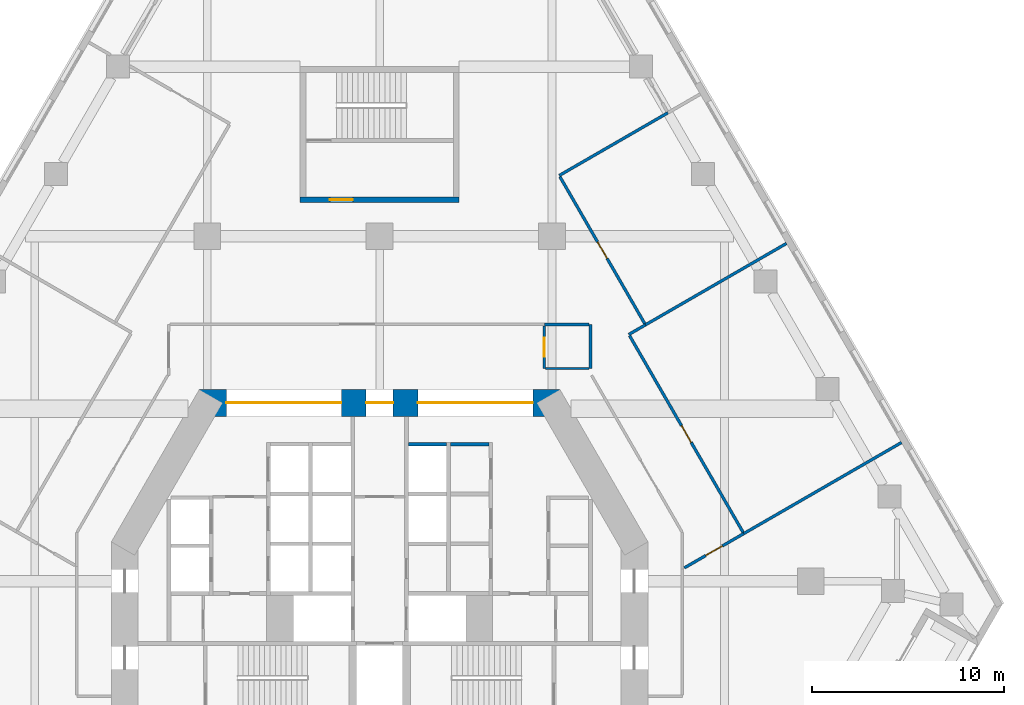
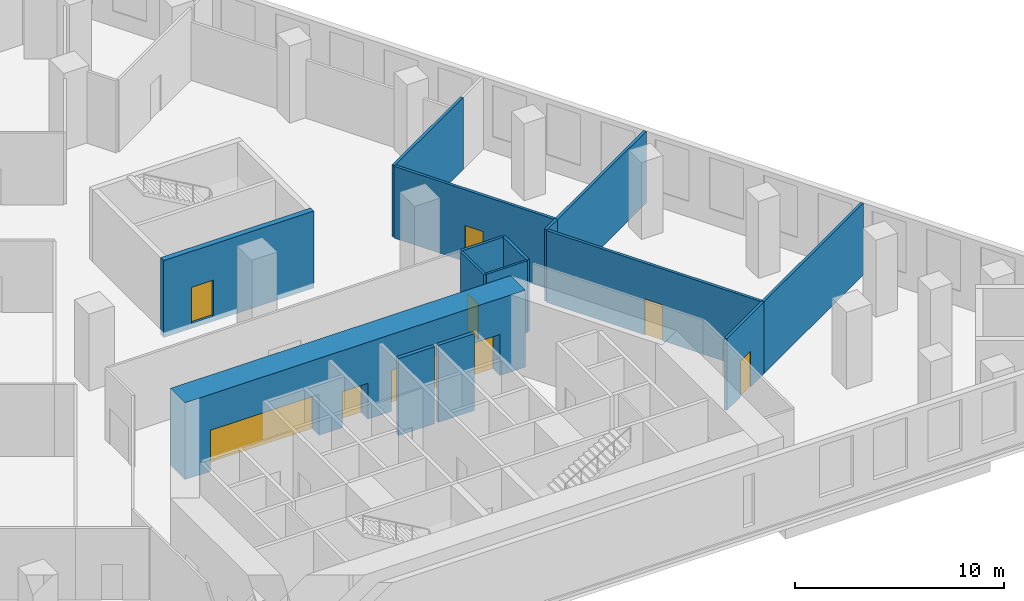
# One storey, part 8 of 14: 15 walls, 8 doors, 8 openings.
"""IFC4 building model written with IfcOpenShell, lengths in metres."""

from ifc_helpers import new_model, si_unit, direction, frame, frame_2d, origin, place, context, subcontext, project, spatial, rectangle, extrude, material, layer, layer_set, type_object, element, fill, save


model = new_model("IFC4")

# Units and contexts
model_context = context("Model", 3, precision=1e-05, world=origin(), true_north=direction((0.0, 1.0)))
body_context = subcontext(model_context, "Body", "Model", "MODEL_VIEW")
ifc_project = project(units=[si_unit("LENGTHUNIT", "METRE"), si_unit("AREAUNIT", "SQUARE_METRE"), si_unit("VOLUMEUNIT", "CUBIC_METRE"), si_unit("PLANEANGLEUNIT", "RADIAN"), si_unit("MASSUNIT", "GRAM", prefix="KILO")], contexts=[model_context])

# Site, building, storey
site_placement = place(None, origin())
site = spatial("IfcSite", under=ifc_project, at=site_placement, CompositionType="ELEMENT")
building_placement = place(site_placement, origin())
building = spatial("IfcBuilding", under=site, at=building_placement, Name="Fogline Exchange Tower", CompositionType="ELEMENT")
storey_placement = place(building_placement, frame((0.0, 0.0, 29.5)))
storey = spatial("IfcBuildingStorey", under=building, at=storey_placement, Name="L05", CompositionType="ELEMENT", Elevation=29.5)

# Walls
ifc_material_1 = material(Name="Concrete C40", Category="concrete")
ifc_layer_1 = layer(ifc_material_1, 0.199951171875)
ifc_layer_set_1 = layer_set([ifc_layer_1], Name="CW20S")
wall_type_1 = type_object("IfcWallType", Name="CW20S", PredefinedType="SOLIDWALL", material=ifc_layer_set_1)
for number, where, z_axis, x_axis, name in (
    (1, (3.699951171875, 16.14990234375, -0.300048828125), (0.0, 0.0, 1.0), (1.0, 0.0, 0.0), "Lift shaft wall"),
    (2, (1.5, 16.14990234375, -0.300048828125), (0.0, 0.0, 1.0), (1.0, 0.0, 0.0), "Lift shaft wall"),
):
    element("IfcWall", number, at=place(storey_placement, frame(where, z_axis=z_axis, x_axis=x_axis)), inside=storey, type_object=wall_type_1, Name=name, PredefinedType="SOLIDWALL", context=body_context, shape_type="SweptSolid", body=[
        extrude(rectangle(XDim=2.0, YDim=0.199951171875, at=frame_2d((1.0, 0.0))), origin(), (0.0, 0.0, 1.0), 4.5),
    ])

# Wall, opening, door
ifc_layer_2 = layer(ifc_material_1, 0.300048828125)
ifc_layer_set_2 = layer_set([ifc_layer_2], Name="CW30")
wall_type_2 = type_object("IfcWallType", Name="CW30", PredefinedType="SOLIDWALL", material=ifc_layer_set_2)
wall_1_placement = place(storey_placement, frame((-4.14990234375, 28.906982421875, -0.300048828125), z_axis=(0.0, 0.0, 1.0), x_axis=(1.0, 0.0, 0.0)))
wall_1 = element("IfcWall", 3, at=wall_1_placement, inside=storey, type_object=wall_type_2, Name="Stair enclosure wall ST3", PredefinedType="SOLIDWALL", context=body_context, shape_type="SweptSolid", body=[
    extrude(rectangle(XDim=8.2998046875, YDim=0.300048828125, at=frame_2d((4.14990234375, 0.0))), origin(), (0.0, 0.0, 1.0), 4.5),
])
opening_1_placement = place(wall_1_placement, frame((1.550048828125, 0.0, 0.300048828125)))
opening_1 = element("IfcOpeningElement", 4, at=opening_1_placement, cuts=wall_1, Name="Opening T01-C022", PredefinedType="OPENING", context=body_context, shape_type="SweptSolid", body=[
    extrude(rectangle(XDim=1.199951171875, YDim=2.10009765625, at=frame_2d((0.60009765625, 1.050048828125))), frame((0.0, 0.16015625, 0.0), z_axis=(0.0, -1.0, 0.0), x_axis=(1.0, 0.0, 0.0)), (0.0, 0.0, 1.0), 0.320068359375),
])
ifc_material_2 = material(Name="Steel and timber fire door", Category="steel")
door_type_1 = type_object("IfcDoorType", Name="D-FR1", OperationType="SINGLE_SWING_RIGHT", PredefinedType="DOOR", material=ifc_material_2)
door_1_placement = place(opening_1_placement, origin())
door_1 = element("IfcDoor", 5, at=door_1_placement, inside=storey, type_object=door_type_1, Name="Front room door ST3", OperationType="SINGLE_SWING_LEFT", OverallHeight=2.10009765625, OverallWidth=1.199951171875, PredefinedType="DOOR", context=body_context, shape_type="SweptSolid", body=[
    extrude(rectangle(XDim=1.199951171875, YDim=2.10009765625, at=frame_2d((0.60009765625, 1.050048828125))), frame((0.0, 0.02490234375, 0.0), z_axis=(0.0, -1.0, 0.0), x_axis=(1.0, 0.0, 0.0)), (0.0, 0.0, 1.0), 0.050048828125),
])
fill(opening_1, door_1)

ifc_material_3 = material(Name="Plasterboard corridor partition with mineral wool, 2 layers each side")
ifc_layer_3 = layer(ifc_material_3, 0.125)
ifc_layer_set_3 = layer_set([ifc_layer_3], Name="PW2")
wall_type_3 = type_object("IfcWallType", Name="PW2", PredefinedType="PARTITIONING", material=ifc_layer_set_3)
wall_2_placement = place(storey_placement, frame((8.60009765625, 22.324462890625, 0.0), z_axis=(0.0, 0.0, 1.0), x_axis=(0.0, -1.0, 0.0)))
wall_2 = element("IfcWall", 6, at=wall_2_placement, inside=storey, type_object=wall_type_3, Name="wall-L05-W007", PredefinedType="PARTITIONING", context=body_context, shape_type="SweptSolid", body=[
    extrude(rectangle(XDim=2.224365234375, YDim=0.125, at=frame_2d((1.1123046875, 0.0))), origin(), (0.0, 0.0, 1.0), 4.199951171875),
])
opening_2_placement = place(wall_2_placement, frame((0.6123046875, 0.0, 0.0)))
opening_2 = element("IfcOpeningElement", 7, at=opening_2_placement, cuts=wall_2, Name="Opening T01-D004", PredefinedType="OPENING", context=body_context, shape_type="SweptSolid", body=[
    extrude(rectangle(XDim=1.0, YDim=2.10009765625, at=frame_2d((0.5, 1.050048828125))), frame((0.0, 0.072509765625, 0.0), z_axis=(0.0, -1.0, 0.0), x_axis=(1.0, 0.0, 0.0)), (0.0, 0.0, 1.0), 0.14501953125),
])
ifc_material_4 = material(Name="Fire-rated timber door leaf with steel frame", Category="steel")
door_type_2 = type_object("IfcDoorType", Name="D3", OperationType="SINGLE_SWING_LEFT", PredefinedType="DOOR", material=ifc_material_4)
door_2_placement = place(opening_2_placement, origin())
door_2 = element("IfcDoor", 8, at=door_2_placement, inside=storey, type_object=door_type_2, Name="door-L05-D004", OperationType="SINGLE_SWING_RIGHT", OverallHeight=2.10009765625, OverallWidth=1.0, PredefinedType="DOOR", context=body_context, shape_type="SweptSolid", body=[
    extrude(rectangle(XDim=1.0, YDim=2.10009765625, at=frame_2d((0.5, 1.050048828125))), frame((0.0, 0.02490234375, 0.0), z_axis=(0.0, -1.0, 0.0), x_axis=(1.0, 0.0, 0.0)), (0.0, 0.0, 1.0), 0.050048828125),
])
fill(opening_2, door_2)

# Walls
wall_3_placement = place(storey_placement, frame((8.66259765625, 20.10009765625, 0.0), z_axis=(0.0, 0.0, 1.0), x_axis=(1.0, 0.0, 0.0)))
element("IfcWall", 9, at=wall_3_placement, inside=storey, type_object=wall_type_3, Name="wall-L05-W008", PredefinedType="PARTITIONING", context=body_context, shape_type="SweptSolid", body=[
    extrude(rectangle(XDim=2.262451171875, YDim=0.125, at=frame_2d((1.13134765625, 0.0))), origin(), (0.0, 0.0, 1.0), 4.199951171875),
])
ifc_material_5 = material(Name="Plasterboard demising partition with mineral wool and acoustic board")
ifc_layer_4 = layer(ifc_material_5, 0.14990234375)
ifc_layer_set_4 = layer_set([ifc_layer_4], Name="PW3")
wall_type_4 = type_object("IfcWallType", Name="PW3", PredefinedType="PARTITIONING", material=ifc_layer_set_4)
wall_4_placement = place(storey_placement, frame((9.373046875, 30.171142578125, 0.0), z_axis=(0.0, 0.0, 1.0), x_axis=(0.866021102686, 0.500007449647, 0.0)))
element("IfcWall", 10, at=wall_4_placement, inside=storey, type_object=wall_type_4, Name="wall-L05-W014", PredefinedType="PARTITIONING", context=body_context, shape_type="SweptSolid", body=[
    extrude(rectangle(XDim=6.55029296875, YDim=0.14990234375, at=frame_2d((3.275146484375, 0.0))), origin(), (0.0, 0.0, 1.0), 4.199951171875),
])

# Wall, opening, door
wall_5_placement = place(storey_placement, frame((13.835693359375, 22.44189453125, 0.0), z_axis=(0.0, 0.0, 1.0), x_axis=(-0.500005027614, 0.86602250107, 0.0)))
wall_5 = element("IfcWall", 11, at=wall_5_placement, inside=storey, type_object=wall_type_4, Name="wall-L05-W015", PredefinedType="PARTITIONING", context=body_context, shape_type="SweptSolid", body=[
    extrude(rectangle(XDim=8.85009765625, YDim=0.14990234375, at=frame_2d((4.425048828125, 0.0))), origin(), (0.0, 0.0, 1.0), 4.199951171875),
])
opening_3_placement = place(wall_5_placement, frame((3.925048828125, 0.0, 0.0)))
opening_3 = element("IfcOpeningElement", 12, at=opening_3_placement, cuts=wall_5, Name="Opening T01-D006", PredefinedType="OPENING", context=body_context, shape_type="SweptSolid", body=[
    extrude(rectangle(XDim=1.0, YDim=2.10009765625, at=frame_2d((0.5, 1.050048828125))), frame((0.0, 0.0849609375, 0.0), z_axis=(0.0, -1.0, 0.0), x_axis=(1.0, 0.0, 0.0)), (0.0, 0.0, 1.0), 0.169921875),
])
door_3_placement = place(opening_3_placement, frame((1.0, 0.0, 0.0), z_axis=(0.0, 0.0, 1.0), x_axis=(-1.0, 0.0, 0.0)))
door_3 = element("IfcDoor", 13, at=door_3_placement, inside=storey, type_object=door_type_2, Name="door-L05-D006", OperationType="SINGLE_SWING_RIGHT", OverallHeight=2.10009765625, OverallWidth=1.0, PredefinedType="DOOR", context=body_context, shape_type="SweptSolid", body=[
    extrude(rectangle(XDim=1.0, YDim=2.10009765625, at=frame_2d((0.5, 1.050048828125))), frame((0.0, 0.02490234375, 0.0), z_axis=(0.0, -1.0, 0.0), x_axis=(1.0, 0.0, 0.0)), (0.0, 0.0, 1.0), 0.050048828125),
])
fill(opening_3, door_3)

# Wall
wall_6_placement = place(storey_placement, frame((21.234375, 26.626953125, 0.0), z_axis=(0.0, 0.0, 1.0), x_axis=(-0.866028703517, -0.499994284652, 0.0)))
element("IfcWall", 14, at=wall_6_placement, inside=storey, type_object=wall_type_4, Name="wall-L05-W016", PredefinedType="PARTITIONING", context=body_context, shape_type="SweptSolid", body=[
    extrude(rectangle(XDim=8.5, YDim=0.14990234375, at=frame_2d((4.25, 0.0))), origin(), (0.0, 0.0, 1.0), 4.199951171875),
])

# Wall, opening, door
wall_7_placement = place(storey_placement, frame((19.007080078125, 11.484619140625, 0.0), z_axis=(0.0, 0.0, 1.0), x_axis=(-0.866048453834, -0.499960074017, 0.0)))
wall_7 = element("IfcWall", 15, at=wall_7_placement, inside=storey, type_object=wall_type_4, Name="wall-L05-W036", PredefinedType="PARTITIONING", context=body_context, shape_type="SweptSolid", body=[
    extrude(rectangle(XDim=3.587158203125, YDim=0.14990234375, at=frame_2d((1.79345703125, 0.0))), origin(), (0.0, 0.0, 1.0), 4.199951171875),
])
opening_4_placement = place(wall_7_placement, frame((1.293701171875, 0.0, 0.0)))
opening_4 = element("IfcOpeningElement", 16, at=opening_4_placement, cuts=wall_7, Name="Opening T01-D014", PredefinedType="OPENING", context=body_context, shape_type="SweptSolid", body=[
    extrude(rectangle(XDim=1.0, YDim=2.10009765625, at=frame_2d((0.5, 1.050048828125))), frame((0.0, 0.0849609375, 0.0), z_axis=(0.0, -1.0, 0.0), x_axis=(1.0, 0.0, 0.0)), (0.0, 0.0, 1.0), 0.169921875),
])
door_4_placement = place(opening_4_placement, origin())
door_4 = element("IfcDoor", 17, at=door_4_placement, inside=storey, type_object=door_type_2, Name="door-L05-D014", OperationType="SINGLE_SWING_RIGHT", OverallHeight=2.10009765625, OverallWidth=1.0, PredefinedType="DOOR", context=body_context, shape_type="SweptSolid", body=[
    extrude(rectangle(XDim=1.0, YDim=2.10009765625, at=frame_2d((0.5, 1.050048828125))), frame((0.0, 0.02490234375, 0.0), z_axis=(0.0, -1.0, 0.0), x_axis=(1.0, 0.0, 0.0)), (0.0, 0.0, 1.0), 0.050048828125),
])
fill(opening_4, door_4)

# Wall
wall_8_placement = place(storey_placement, frame((13.873046875, 22.376953125, 0.0), z_axis=(0.0, 0.0, 1.0), x_axis=(-0.866010750942, -0.50002537861, 0.0)))
element("IfcWall", 18, at=wall_8_placement, inside=storey, type_object=wall_type_4, Name="wall-L05-W037", PredefinedType="PARTITIONING", context=body_context, shape_type="SweptSolid", body=[
    extrude(rectangle(XDim=1.0, YDim=0.14990234375, at=frame_2d((0.5, 0.0))), origin(), (0.0, 0.0, 1.0), 4.199951171875),
])

# Wall, opening, door
wall_9_placement = place(storey_placement, frame((13.044677734375, 21.81201171875, 0.0), z_axis=(0.0, 0.0, 1.0), x_axis=(0.499994727438, -0.866028447878, 0.0)))
wall_9 = element("IfcWall", 19, at=wall_9_placement, inside=storey, type_object=wall_type_4, Name="wall-L05-W038", PredefinedType="PARTITIONING", context=body_context, shape_type="SweptSolid", body=[
    extrude(rectangle(XDim=11.849853515625, YDim=0.14990234375, at=frame_2d((5.9248046875, 0.0))), origin(), (0.0, 0.0, 1.0), 4.199951171875),
])
opening_5_placement = place(wall_9_placement, frame((5.425048828125, 0.0, 0.0)))
opening_5 = element("IfcOpeningElement", 20, at=opening_5_placement, cuts=wall_9, Name="Opening T01-D015", PredefinedType="OPENING", context=body_context, shape_type="SweptSolid", body=[
    extrude(rectangle(XDim=1.0, YDim=2.10009765625, at=frame_2d((0.5, 1.050048828125))), frame((0.0, 0.0849609375, 0.0), z_axis=(0.0, -1.0, 0.0), x_axis=(1.0, 0.0, 0.0)), (0.0, 0.0, 1.0), 0.169921875),
])
door_5_placement = place(opening_5_placement, origin())
door_5 = element("IfcDoor", 21, at=door_5_placement, inside=storey, type_object=door_type_2, Name="door-L05-D015", OperationType="SINGLE_SWING_RIGHT", OverallHeight=2.10009765625, OverallWidth=1.0, PredefinedType="DOOR", context=body_context, shape_type="SweptSolid", body=[
    extrude(rectangle(XDim=1.0, YDim=2.10009765625, at=frame_2d((0.5, 1.050048828125))), frame((0.0, 0.02490234375, 0.0), z_axis=(0.0, -1.0, 0.0), x_axis=(1.0, 0.0, 0.0)), (0.0, 0.0, 1.0), 0.050048828125),
])
fill(opening_5, door_5)

# Walls
wall_10_placement = place(storey_placement, frame((11.0, 20.10009765625, 0.0), z_axis=(0.0, 0.0, 1.0), x_axis=(0.0, 1.0, 0.0)))
element("IfcWall", 22, at=wall_10_placement, inside=storey, type_object=wall_type_4, Name="wall-L05-W039", PredefinedType="PARTITIONING", context=body_context, shape_type="SweptSolid", body=[
    extrude(rectangle(XDim=2.2998046875, YDim=0.14990234375, at=frame_2d((1.14990234375, 0.0))), origin(), (0.0, 0.0, 1.0), 4.199951171875),
])
wall_11_placement = place(storey_placement, frame((10.925048828125, 22.39990234375, 0.0), z_axis=(0.0, 0.0, 1.0), x_axis=(-1.0, 0.0, 0.0)))
element("IfcWall", 23, at=wall_11_placement, inside=storey, type_object=wall_type_4, Name="wall-L05-W040", PredefinedType="PARTITIONING", context=body_context, shape_type="SweptSolid", body=[
    extrude(rectangle(XDim=2.324951171875, YDim=0.14990234375, at=frame_2d((1.16259765625, 0.0))), origin(), (0.0, 0.0, 1.0), 4.199951171875),
])
wall_12_placement = place(storey_placement, frame((19.007080078125, 11.484619140625, 0.0), z_axis=(0.0, 0.0, 1.0), x_axis=(0.86602681393, 0.499997557548, 0.0)))
element("IfcWall", 24, at=wall_12_placement, inside=storey, type_object=wall_type_4, Name="wall-L05-W045", PredefinedType="PARTITIONING", context=body_context, shape_type="SweptSolid", body=[
    extrude(rectangle(XDim=9.5, YDim=0.14990234375, at=frame_2d((4.75, 0.0))), origin(), (0.0, 0.0, 1.0), 4.199951171875),
])

# Wall, openings, doors
ifc_material_6 = material(Name="Concrete C60", Category="concrete")
ifc_layer_5 = layer(ifc_material_6, 1.39990234375)
ifc_layer_set_5 = layer_set([ifc_layer_5], Name="SW01")
wall_type_5 = type_object("IfcWallType", Name="SW01", PredefinedType="SHEAR", material=ifc_layer_set_5)
wall_13_placement = place(storey_placement, frame((9.41162109375, 18.300048828125, 0.0), z_axis=(0.0, 0.0, 1.0), x_axis=(-1.0, 0.0, 0.0)))
wall_13 = element("IfcWall", 25, at=wall_13_placement, inside=storey, type_object=wall_type_5, Name="L05-W904", PredefinedType="SHEAR", context=body_context, shape_type="SweptSolid", body=[
    extrude(rectangle(XDim=18.8232421875, YDim=1.39990234375, at=frame_2d((9.41162109375, 0.0))), origin(), (0.0, 0.0, 1.0), 4.5),
])
opening_6_placement = place(wall_13_placement, frame((8.71142578125, 0.0, 0.0)))
opening_6 = element("IfcOpeningElement", 26, at=opening_6_placement, cuts=wall_13, Name="Opening T01-C019", PredefinedType="OPENING", context=body_context, shape_type="SweptSolid", body=[
    extrude(rectangle(XDim=1.39990234375, YDim=2.10009765625, at=frame_2d((0.699951171875, 1.050048828125))), frame((0.0, 0.7099609375, 0.0), z_axis=(0.0, -1.0, 0.0), x_axis=(1.0, 0.0, 0.0)), (0.0, 0.0, 1.0), 1.419921875),
])
opening_7_placement = place(wall_13_placement, frame((11.41162109375, 0.0, 0.0)))
opening_7 = element("IfcOpeningElement", 27, at=opening_7_placement, cuts=wall_13, Name="Opening T01-C020", PredefinedType="OPENING", context=body_context, shape_type="SweptSolid", body=[
    extrude(rectangle(XDim=6.0, YDim=2.39990234375, at=frame_2d((3.0, 1.199951171875))), frame((0.0, 0.7099609375, 0.0), z_axis=(0.0, -1.0, 0.0), x_axis=(1.0, 0.0, 0.0)), (0.0, 0.0, 1.0), 1.419921875),
])
opening_8_placement = place(wall_13_placement, frame((1.41162109375, 0.0, 0.0)))
opening_8 = element("IfcOpeningElement", 28, at=opening_8_placement, cuts=wall_13, Name="Opening T01-C021", PredefinedType="OPENING", context=body_context, shape_type="SweptSolid", body=[
    extrude(rectangle(XDim=6.0, YDim=2.39990234375, at=frame_2d((3.0, 1.199951171875))), frame((0.0, 0.7099609375, 0.0), z_axis=(0.0, -1.0, 0.0), x_axis=(1.0, 0.0, 0.0)), (0.0, 0.0, 1.0), 1.419921875),
])
door_type_3 = type_object("IfcDoorType", Name="D-LB1", OperationType="DOUBLE_DOOR_SINGLE_SWING", PredefinedType="DOOR", material=ifc_material_2)
door_6_placement = place(opening_6_placement, origin())
door_6 = element("IfcDoor", 29, at=door_6_placement, inside=storey, type_object=door_type_3, Name="Protected lobby door", OperationType="DOUBLE_DOOR_SINGLE_SWING", OverallHeight=2.10009765625, OverallWidth=1.39990234375, PredefinedType="DOOR", context=body_context, shape_type="SweptSolid", body=[
    extrude(rectangle(XDim=1.39990234375, YDim=2.10009765625, at=frame_2d((0.699951171875, 1.050048828125))), frame((0.0, 0.02490234375, 0.0), z_axis=(0.0, -1.0, 0.0), x_axis=(1.0, 0.0, 0.0)), (0.0, 0.0, 1.0), 0.050048828125),
])
fill(opening_6, door_6)
door_type_4 = type_object("IfcDoorType", Name="D-LE1", OperationType="DOUBLE_DOOR_SLIDING", PredefinedType="DOOR", material=ifc_material_2)
door_7_placement = place(opening_7_placement, origin())
door_7 = element("IfcDoor", 30, at=door_7_placement, inside=storey, type_object=door_type_4, Name="Lift lobby entrance west", OperationType="DOUBLE_DOOR_SLIDING", OverallHeight=2.39990234375, OverallWidth=6.0, PredefinedType="DOOR", context=body_context, shape_type="SweptSolid", body=[
    extrude(rectangle(XDim=6.0, YDim=2.39990234375, at=frame_2d((3.0, 1.199951171875))), frame((0.0, 0.02490234375, 0.0), z_axis=(0.0, -1.0, 0.0), x_axis=(1.0, 0.0, 0.0)), (0.0, 0.0, 1.0), 0.050048828125),
])
fill(opening_7, door_7)
door_8_placement = place(opening_8_placement, origin())
door_8 = element("IfcDoor", 31, at=door_8_placement, inside=storey, type_object=door_type_4, Name="Lift lobby entrance east", OperationType="DOUBLE_DOOR_SLIDING", OverallHeight=2.39990234375, OverallWidth=6.0, PredefinedType="DOOR", context=body_context, shape_type="SweptSolid", body=[
    extrude(rectangle(XDim=6.0, YDim=2.39990234375, at=frame_2d((3.0, 1.199951171875))), frame((0.0, 0.02490234375, 0.0), z_axis=(0.0, -1.0, 0.0), x_axis=(1.0, 0.0, 0.0)), (0.0, 0.0, 1.0), 0.050048828125),
])
fill(opening_8, door_8)

save(model, "model.ifc")
